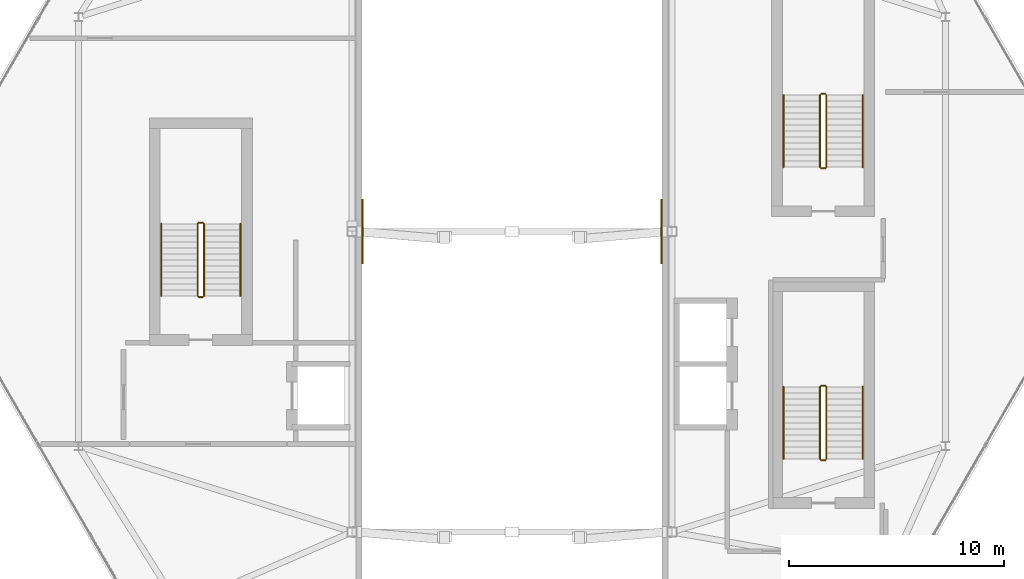
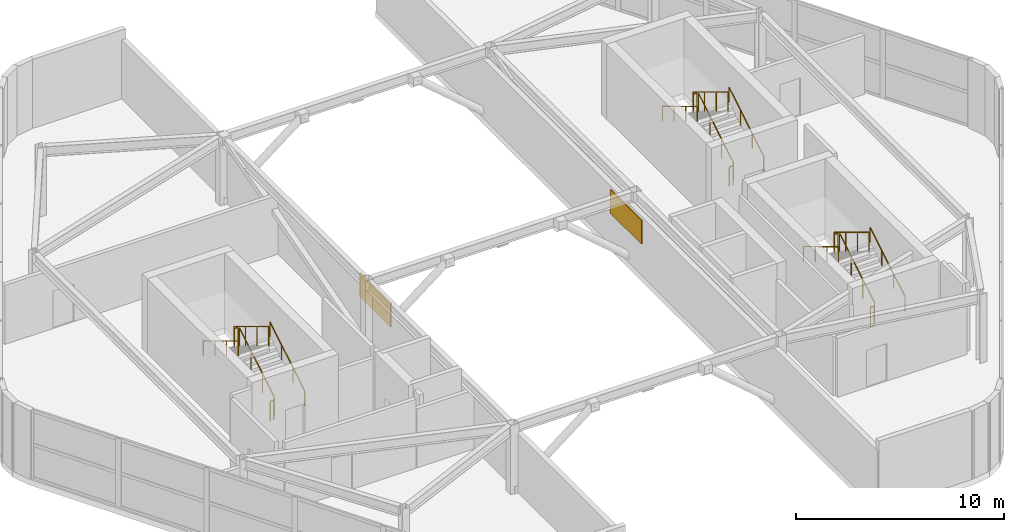
# One storey, part 16 of 16: 18 railings, 2 shading devices.
"""IFC4 building model written with IfcOpenShell, lengths in metres."""

from ifc_helpers import new_model, si_unit, direction, frame, origin, origin_2d, place, context, subcontext, project, spatial, rectangle, extrude, material, layer, layer_set, type_object, element, save


model = new_model("IFC4")

# Units and contexts
model_context = context("Model", 3, precision=1e-05, world=origin(), true_north=direction((0.0, 1.0)))
body_context = subcontext(model_context, "Body", "Model", "MODEL_VIEW")
ifc_project = project(units=[si_unit("LENGTHUNIT", "METRE"), si_unit("AREAUNIT", "SQUARE_METRE"), si_unit("VOLUMEUNIT", "CUBIC_METRE"), si_unit("PLANEANGLEUNIT", "RADIAN"), si_unit("MASSUNIT", "GRAM", prefix="KILO")], contexts=[model_context])

# Site, building, storey
site_placement = place(None, origin())
site = spatial("IfcSite", under=ifc_project, at=site_placement, CompositionType="ELEMENT")
building_placement = place(site_placement, origin())
building = spatial("IfcBuilding", under=site, at=building_placement, Name="Zuhravey Tower", CompositionType="ELEMENT")
storey_placement = place(building_placement, frame((0.0, 0.0, 370.199951171875)))
storey = spatial("IfcBuildingStorey", under=building, at=storey_placement, Name="L94", CompositionType="ELEMENT", Elevation=370.199951171875)

# Shading devices
ifc_material_1 = material(Name="Bronze-anodised perforated aluminium", Category="aluminium")
ifc_layer = layer(ifc_material_1, 0.06005859375)
ifc_layer_set = layer_set([ifc_layer], Name="Bronze-anodised perforated aluminium")
shading_device_type = type_object("IfcShadingDeviceType", Name="Girih Mashrabiya Solar Screen", PredefinedType="USERDEFINED", material=ifc_layer_set)
for number, where, z_axis, x_axis, name in (
    (1, (29.030029296875, 32.0, 1.900146484375), (0.0, 0.0, 1.0), (0.0, 1.0, 0.0), "L94 WEST Wind-Portal Girih Screen SCR1"),
    (2, (42.969970703125, 32.0, 1.900146484375), (0.0, 0.0, 1.0), (0.0, 1.0, 0.0), "L94 EAST Wind-Portal Girih Screen SCR1"),
):
    element("IfcShadingDevice", number, at=place(storey_placement, frame(where, z_axis=z_axis, x_axis=x_axis)), inside=storey, type_object=shading_device_type, Name=name, ObjectType="SCREEN", PredefinedType="USERDEFINED", context=body_context, shape_type="SweptSolid", body=[
        extrude(rectangle(XDim=3.0, YDim=0.06005859375, at=origin_2d()), origin(), (0.0, 0.0, 1.0), 1.39990234375),
    ])

# Railings
ifc_material_2 = material(Name="Brushed stainless steel", Category="steel")
railing_type_1 = type_object("IfcRailingType", Name="Stair Wall Handrail 900", PredefinedType="HANDRAIL", material=ifc_material_2)
railing_1_placement = place(storey_placement, frame((23.35009765625, 29.0, 0.169189453125)))
element("IfcRailing", 3, at=railing_1_placement, inside=storey, type_object=railing_type_1, Name="L94 CST1 stair handrail 1", PredefinedType="HANDRAIL", context=body_context, shape_type="SweptSolid", body=[
    extrude(rectangle(XDim=0.048095703125, YDim=0.048095703125, at=origin_2d()), frame((0.0, 0.001708984375, 0.876953125), z_axis=(0.0, 0.855836976705, 0.517245656632), x_axis=(-1.0, 0.0, 0.0)), (0.0, 0.0, 1.0), 3.922119140625),
    extrude(rectangle(XDim=0.0419921875, YDim=0.0419921875, at=origin_2d()), origin(), (0.0, 0.0, 1.0), 0.849853515625),
    extrude(rectangle(XDim=0.0419921875, YDim=0.0419921875, at=origin_2d()), frame((0.0, 1.1201171875, 0.677001953125)), (0.0, 0.0, 1.0), 0.849853515625),
    extrude(rectangle(XDim=0.0419921875, YDim=0.0419921875, at=origin_2d()), frame((0.0, 2.239990234375, 1.353759765625)), (0.0, 0.0, 1.0), 0.849853515625),
    extrude(rectangle(XDim=0.0419921875, YDim=0.0419921875, at=origin_2d()), frame((0.0, 3.360107421875, 2.03076171875)), (0.0, 0.0, 1.0), 0.849853515625),
])
railing_2_placement = place(storey_placement, frame((19.64990234375, 32.360107421875, 2.369384765625)))
element("IfcRailing", 4, at=railing_2_placement, inside=storey, type_object=railing_type_1, Name="L94 CST1 stair handrail 2", PredefinedType="HANDRAIL", context=body_context, shape_type="SweptSolid", body=[
    extrude(rectangle(XDim=0.048095703125, YDim=0.048095703125, at=origin_2d()), frame((0.0, -0.001708984375, 0.876953125), z_axis=(0.0, -0.855836976705, 0.517245656632), x_axis=(1.0, 0.0, 0.0)), (0.0, 0.0, 1.0), 3.922119140625),
    extrude(rectangle(XDim=0.0419921875, YDim=0.0419921875, at=origin_2d()), origin(), (0.0, 0.0, 1.0), 0.849853515625),
    extrude(rectangle(XDim=0.0419921875, YDim=0.0419921875, at=origin_2d()), frame((0.0, -1.1201171875, 0.677001953125)), (0.0, 0.0, 1.0), 0.849853515625),
    extrude(rectangle(XDim=0.0419921875, YDim=0.0419921875, at=origin_2d()), frame((0.0, -2.239990234375, 1.353759765625)), (0.0, 0.0, 1.0), 0.849853515625),
    extrude(rectangle(XDim=0.0419921875, YDim=0.0419921875, at=origin_2d()), frame((0.0, -3.360107421875, 2.03076171875)), (0.0, 0.0, 1.0), 0.849853515625),
])
railing_3_placement = place(storey_placement, frame((52.35009765625, 21.39990234375, 0.169189453125)))
element("IfcRailing", 5, at=railing_3_placement, inside=storey, type_object=railing_type_1, Name="L94 CST2 stair handrail 1", PredefinedType="HANDRAIL", context=body_context, shape_type="SweptSolid", body=[
    extrude(rectangle(XDim=0.048095703125, YDim=0.048095703125, at=origin_2d()), frame((0.0, 0.001708984375, 0.876953125), z_axis=(0.0, 0.855836976705, 0.517245656632), x_axis=(-1.0, 0.0, 0.0)), (0.0, 0.0, 1.0), 3.922119140625),
    extrude(rectangle(XDim=0.0419921875, YDim=0.0419921875, at=origin_2d()), origin(), (0.0, 0.0, 1.0), 0.849853515625),
    extrude(rectangle(XDim=0.0419921875, YDim=0.0419921875, at=origin_2d()), frame((0.0, 1.1201171875, 0.677001953125)), (0.0, 0.0, 1.0), 0.849853515625),
    extrude(rectangle(XDim=0.0419921875, YDim=0.0419921875, at=origin_2d()), frame((0.0, 2.239990234375, 1.353759765625)), (0.0, 0.0, 1.0), 0.849853515625),
    extrude(rectangle(XDim=0.0419921875, YDim=0.0419921875, at=origin_2d()), frame((0.0, 3.360107421875, 2.03076171875)), (0.0, 0.0, 1.0), 0.849853515625),
])
railing_4_placement = place(storey_placement, frame((48.64990234375, 24.760009765625, 2.369384765625)))
element("IfcRailing", 6, at=railing_4_placement, inside=storey, type_object=railing_type_1, Name="L94 CST2 stair handrail 2", PredefinedType="HANDRAIL", context=body_context, shape_type="SweptSolid", body=[
    extrude(rectangle(XDim=0.048095703125, YDim=0.048095703125, at=origin_2d()), frame((0.0, -0.001708984375, 0.876953125), z_axis=(0.0, -0.855836976705, 0.517245656632), x_axis=(1.0, 0.0, 0.0)), (0.0, 0.0, 1.0), 3.922119140625),
    extrude(rectangle(XDim=0.0419921875, YDim=0.0419921875, at=origin_2d()), origin(), (0.0, 0.0, 1.0), 0.849853515625),
    extrude(rectangle(XDim=0.0419921875, YDim=0.0419921875, at=origin_2d()), frame((0.0, -1.1201171875, 0.677001953125)), (0.0, 0.0, 1.0), 0.849853515625),
    extrude(rectangle(XDim=0.0419921875, YDim=0.0419921875, at=origin_2d()), frame((0.0, -2.239990234375, 1.353759765625)), (0.0, 0.0, 1.0), 0.849853515625),
    extrude(rectangle(XDim=0.0419921875, YDim=0.0419921875, at=origin_2d()), frame((0.0, -3.360107421875, 2.03076171875)), (0.0, 0.0, 1.0), 0.849853515625),
])
railing_5_placement = place(storey_placement, frame((52.35009765625, 35.0, 0.169189453125)))
element("IfcRailing", 7, at=railing_5_placement, inside=storey, type_object=railing_type_1, Name="L94 CST3 stair handrail 1", PredefinedType="HANDRAIL", context=body_context, shape_type="SweptSolid", body=[
    extrude(rectangle(XDim=0.048095703125, YDim=0.048095703125, at=origin_2d()), frame((0.0, 0.001708984375, 0.876953125), z_axis=(0.0, 0.855836976705, 0.517245656632), x_axis=(-1.0, 0.0, 0.0)), (0.0, 0.0, 1.0), 3.922119140625),
    extrude(rectangle(XDim=0.0419921875, YDim=0.0419921875, at=origin_2d()), origin(), (0.0, 0.0, 1.0), 0.849853515625),
    extrude(rectangle(XDim=0.0419921875, YDim=0.0419921875, at=origin_2d()), frame((0.0, 1.1201171875, 0.677001953125)), (0.0, 0.0, 1.0), 0.849853515625),
    extrude(rectangle(XDim=0.0419921875, YDim=0.0419921875, at=origin_2d()), frame((0.0, 2.239990234375, 1.353759765625)), (0.0, 0.0, 1.0), 0.849853515625),
    extrude(rectangle(XDim=0.0419921875, YDim=0.0419921875, at=origin_2d()), frame((0.0, 3.360107421875, 2.03076171875)), (0.0, 0.0, 1.0), 0.849853515625),
])
railing_6_placement = place(storey_placement, frame((48.64990234375, 38.360107421875, 2.369384765625)))
element("IfcRailing", 8, at=railing_6_placement, inside=storey, type_object=railing_type_1, Name="L94 CST3 stair handrail 2", PredefinedType="HANDRAIL", context=body_context, shape_type="SweptSolid", body=[
    extrude(rectangle(XDim=0.048095703125, YDim=0.048095703125, at=origin_2d()), frame((0.0, -0.001708984375, 0.876953125), z_axis=(0.0, -0.855836976705, 0.517245656632), x_axis=(1.0, 0.0, 0.0)), (0.0, 0.0, 1.0), 3.922119140625),
    extrude(rectangle(XDim=0.0419921875, YDim=0.0419921875, at=origin_2d()), origin(), (0.0, 0.0, 1.0), 0.849853515625),
    extrude(rectangle(XDim=0.0419921875, YDim=0.0419921875, at=origin_2d()), frame((0.0, -1.1201171875, 0.677001953125)), (0.0, 0.0, 1.0), 0.849853515625),
    extrude(rectangle(XDim=0.0419921875, YDim=0.0419921875, at=origin_2d()), frame((0.0, -2.239990234375, 1.353759765625)), (0.0, 0.0, 1.0), 0.849853515625),
    extrude(rectangle(XDim=0.0419921875, YDim=0.0419921875, at=origin_2d()), frame((0.0, -3.360107421875, 2.03076171875)), (0.0, 0.0, 1.0), 0.849853515625),
])
ifc_material_3 = material(Name="Painted tubular steel", Category="steel")
railing_type_2 = type_object("IfcRailingType", Name="Stair Well Guardrail 1150", PredefinedType="GUARDRAIL", material=ifc_material_3)
railing_7_placement = place(storey_placement, frame((21.64990234375, 29.0, 0.169189453125)))
element("IfcRailing", 9, at=railing_7_placement, inside=storey, type_object=railing_type_2, Name="L94 CST1 stair guard 1", PredefinedType="GUARDRAIL", context=body_context, shape_type="SweptSolid", body=[
    extrude(rectangle(XDim=0.048095703125, YDim=0.048095703125, at=origin_2d()), frame((0.0, 0.001708984375, 1.126953125), z_axis=(0.0, 0.855836976705, 0.517245656632), x_axis=(-1.0, 0.0, 0.0)), (0.0, 0.0, 1.0), 3.922119140625),
    extrude(rectangle(XDim=0.0419921875, YDim=0.0419921875, at=origin_2d()), origin(), (0.0, 0.0, 1.0), 1.099853515625),
    extrude(rectangle(XDim=0.0419921875, YDim=0.0419921875, at=origin_2d()), frame((0.0, 1.1201171875, 0.677001953125)), (0.0, 0.0, 1.0), 1.099853515625),
    extrude(rectangle(XDim=0.0419921875, YDim=0.0419921875, at=origin_2d()), frame((0.0, 2.239990234375, 1.353759765625)), (0.0, 0.0, 1.0), 1.099853515625),
    extrude(rectangle(XDim=0.0419921875, YDim=0.0419921875, at=origin_2d()), frame((0.0, 3.360107421875, 2.03076171875)), (0.0, 0.0, 1.0), 1.099853515625),
])
railing_8_placement = place(storey_placement, frame((21.60009765625, 32.409912109375, 2.199951171875)))
element("IfcRailing", 10, at=railing_8_placement, inside=storey, type_object=railing_type_2, Name="L94 CST1 stair guard 2", PredefinedType="GUARDRAIL", context=body_context, shape_type="SweptSolid", body=[
    extrude(rectangle(XDim=0.048095703125, YDim=0.048095703125, at=origin_2d()), frame((-0.001953125, 0.0, 1.1259765625), z_axis=(-1.0, 0.0, 0.0), x_axis=(0.0, -1.0, 0.0)), (0.0, 0.0, 1.0), 0.1962890625),
    extrude(rectangle(XDim=0.0419921875, YDim=0.0419921875, at=origin_2d()), origin(), (0.0, 0.0, 1.0), 1.099853515625),
    extrude(rectangle(XDim=0.0419921875, YDim=0.0419921875, at=origin_2d()), frame((-0.2001953125, 0.0, 0.0)), (0.0, 0.0, 1.0), 1.099853515625),
])
railing_9_placement = place(storey_placement, frame((21.35009765625, 32.360107421875, 2.369384765625)))
element("IfcRailing", 11, at=railing_9_placement, inside=storey, type_object=railing_type_2, Name="L94 CST1 stair guard 3", PredefinedType="GUARDRAIL", context=body_context, shape_type="SweptSolid", body=[
    extrude(rectangle(XDim=0.048095703125, YDim=0.048095703125, at=origin_2d()), frame((0.0, -0.001708984375, 1.126953125), z_axis=(0.0, -0.855836976705, 0.517245656632), x_axis=(1.0, 0.0, 0.0)), (0.0, 0.0, 1.0), 3.922119140625),
    extrude(rectangle(XDim=0.0419921875, YDim=0.0419921875, at=origin_2d()), origin(), (0.0, 0.0, 1.0), 1.099853515625),
    extrude(rectangle(XDim=0.0419921875, YDim=0.0419921875, at=origin_2d()), frame((0.0, -1.1201171875, 0.677001953125)), (0.0, 0.0, 1.0), 1.099853515625),
    extrude(rectangle(XDim=0.0419921875, YDim=0.0419921875, at=origin_2d()), frame((0.0, -2.239990234375, 1.353759765625)), (0.0, 0.0, 1.0), 1.099853515625),
    extrude(rectangle(XDim=0.0419921875, YDim=0.0419921875, at=origin_2d()), frame((0.0, -3.360107421875, 2.03076171875)), (0.0, 0.0, 1.0), 1.099853515625),
])
railing_10_placement = place(storey_placement, frame((21.60009765625, 28.949951171875, 0.0)))
element("IfcRailing", 12, at=railing_10_placement, inside=storey, type_object=railing_type_2, Name="L94 CST1 stair guard 4", PredefinedType="GUARDRAIL", context=body_context, shape_type="SweptSolid", body=[
    extrude(rectangle(XDim=0.048095703125, YDim=0.048095703125, at=origin_2d()), frame((-0.001953125, 0.0, 1.1259765625), z_axis=(-1.0, 0.0, 0.0), x_axis=(0.0, -1.0, 0.0)), (0.0, 0.0, 1.0), 0.1962890625),
    extrude(rectangle(XDim=0.0419921875, YDim=0.0419921875, at=origin_2d()), origin(), (0.0, 0.0, 1.0), 1.099853515625),
    extrude(rectangle(XDim=0.0419921875, YDim=0.0419921875, at=origin_2d()), frame((-0.2001953125, 0.0, 0.0)), (0.0, 0.0, 1.0), 1.099853515625),
])
railing_11_placement = place(storey_placement, frame((50.64990234375, 21.39990234375, 0.169189453125)))
element("IfcRailing", 13, at=railing_11_placement, inside=storey, type_object=railing_type_2, Name="L94 CST2 stair guard 1", PredefinedType="GUARDRAIL", context=body_context, shape_type="SweptSolid", body=[
    extrude(rectangle(XDim=0.048095703125, YDim=0.048095703125, at=origin_2d()), frame((0.0, 0.001708984375, 1.126953125), z_axis=(0.0, 0.855836976705, 0.517245656632), x_axis=(-1.0, 0.0, 0.0)), (0.0, 0.0, 1.0), 3.922119140625),
    extrude(rectangle(XDim=0.0419921875, YDim=0.0419921875, at=origin_2d()), origin(), (0.0, 0.0, 1.0), 1.099853515625),
    extrude(rectangle(XDim=0.0419921875, YDim=0.0419921875, at=origin_2d()), frame((0.0, 1.1201171875, 0.677001953125)), (0.0, 0.0, 1.0), 1.099853515625),
    extrude(rectangle(XDim=0.0419921875, YDim=0.0419921875, at=origin_2d()), frame((0.0, 2.239990234375, 1.353759765625)), (0.0, 0.0, 1.0), 1.099853515625),
    extrude(rectangle(XDim=0.0419921875, YDim=0.0419921875, at=origin_2d()), frame((0.0, 3.360107421875, 2.03076171875)), (0.0, 0.0, 1.0), 1.099853515625),
])
railing_12_placement = place(storey_placement, frame((50.60009765625, 24.81005859375, 2.199951171875)))
element("IfcRailing", 14, at=railing_12_placement, inside=storey, type_object=railing_type_2, Name="L94 CST2 stair guard 2", PredefinedType="GUARDRAIL", context=body_context, shape_type="SweptSolid", body=[
    extrude(rectangle(XDim=0.048095703125, YDim=0.048095703125, at=origin_2d()), frame((-0.001953125, 0.0, 1.1259765625), z_axis=(-1.0, 0.0, 0.0), x_axis=(0.0, -1.0, 0.0)), (0.0, 0.0, 1.0), 0.1962890625),
    extrude(rectangle(XDim=0.0419921875, YDim=0.0419921875, at=origin_2d()), origin(), (0.0, 0.0, 1.0), 1.099853515625),
    extrude(rectangle(XDim=0.0419921875, YDim=0.0419921875, at=origin_2d()), frame((-0.2001953125, 0.0, 0.0)), (0.0, 0.0, 1.0), 1.099853515625),
])
railing_13_placement = place(storey_placement, frame((50.35009765625, 24.760009765625, 2.369384765625)))
element("IfcRailing", 15, at=railing_13_placement, inside=storey, type_object=railing_type_2, Name="L94 CST2 stair guard 3", PredefinedType="GUARDRAIL", context=body_context, shape_type="SweptSolid", body=[
    extrude(rectangle(XDim=0.048095703125, YDim=0.048095703125, at=origin_2d()), frame((0.0, -0.001708984375, 1.126953125), z_axis=(0.0, -0.855836976705, 0.517245656632), x_axis=(1.0, 0.0, 0.0)), (0.0, 0.0, 1.0), 3.922119140625),
    extrude(rectangle(XDim=0.0419921875, YDim=0.0419921875, at=origin_2d()), origin(), (0.0, 0.0, 1.0), 1.099853515625),
    extrude(rectangle(XDim=0.0419921875, YDim=0.0419921875, at=origin_2d()), frame((0.0, -1.1201171875, 0.677001953125)), (0.0, 0.0, 1.0), 1.099853515625),
    extrude(rectangle(XDim=0.0419921875, YDim=0.0419921875, at=origin_2d()), frame((0.0, -2.239990234375, 1.353759765625)), (0.0, 0.0, 1.0), 1.099853515625),
    extrude(rectangle(XDim=0.0419921875, YDim=0.0419921875, at=origin_2d()), frame((0.0, -3.360107421875, 2.03076171875)), (0.0, 0.0, 1.0), 1.099853515625),
])
railing_14_placement = place(storey_placement, frame((50.60009765625, 21.35009765625, 0.0)))
element("IfcRailing", 16, at=railing_14_placement, inside=storey, type_object=railing_type_2, Name="L94 CST2 stair guard 4", PredefinedType="GUARDRAIL", context=body_context, shape_type="SweptSolid", body=[
    extrude(rectangle(XDim=0.048095703125, YDim=0.048095703125, at=origin_2d()), frame((-0.001953125, 0.0, 1.1259765625), z_axis=(-1.0, 0.0, 0.0), x_axis=(0.0, -1.0, 0.0)), (0.0, 0.0, 1.0), 0.1962890625),
    extrude(rectangle(XDim=0.0419921875, YDim=0.0419921875, at=origin_2d()), origin(), (0.0, 0.0, 1.0), 1.099853515625),
    extrude(rectangle(XDim=0.0419921875, YDim=0.0419921875, at=origin_2d()), frame((-0.2001953125, 0.0, 0.0)), (0.0, 0.0, 1.0), 1.099853515625),
])
railing_15_placement = place(storey_placement, frame((50.64990234375, 35.0, 0.169189453125)))
element("IfcRailing", 17, at=railing_15_placement, inside=storey, type_object=railing_type_2, Name="L94 CST3 stair guard 1", PredefinedType="GUARDRAIL", context=body_context, shape_type="SweptSolid", body=[
    extrude(rectangle(XDim=0.048095703125, YDim=0.048095703125, at=origin_2d()), frame((0.0, 0.001708984375, 1.126953125), z_axis=(0.0, 0.855836976705, 0.517245656632), x_axis=(-1.0, 0.0, 0.0)), (0.0, 0.0, 1.0), 3.922119140625),
    extrude(rectangle(XDim=0.0419921875, YDim=0.0419921875, at=origin_2d()), origin(), (0.0, 0.0, 1.0), 1.099853515625),
    extrude(rectangle(XDim=0.0419921875, YDim=0.0419921875, at=origin_2d()), frame((0.0, 1.1201171875, 0.677001953125)), (0.0, 0.0, 1.0), 1.099853515625),
    extrude(rectangle(XDim=0.0419921875, YDim=0.0419921875, at=origin_2d()), frame((0.0, 2.239990234375, 1.353759765625)), (0.0, 0.0, 1.0), 1.099853515625),
    extrude(rectangle(XDim=0.0419921875, YDim=0.0419921875, at=origin_2d()), frame((0.0, 3.360107421875, 2.03076171875)), (0.0, 0.0, 1.0), 1.099853515625),
])
railing_16_placement = place(storey_placement, frame((50.60009765625, 38.409912109375, 2.199951171875)))
element("IfcRailing", 18, at=railing_16_placement, inside=storey, type_object=railing_type_2, Name="L94 CST3 stair guard 2", PredefinedType="GUARDRAIL", context=body_context, shape_type="SweptSolid", body=[
    extrude(rectangle(XDim=0.048095703125, YDim=0.048095703125, at=origin_2d()), frame((-0.001953125, 0.0, 1.1259765625), z_axis=(-1.0, 0.0, 0.0), x_axis=(0.0, -1.0, 0.0)), (0.0, 0.0, 1.0), 0.1962890625),
    extrude(rectangle(XDim=0.0419921875, YDim=0.0419921875, at=origin_2d()), origin(), (0.0, 0.0, 1.0), 1.099853515625),
    extrude(rectangle(XDim=0.0419921875, YDim=0.0419921875, at=origin_2d()), frame((-0.2001953125, 0.0, 0.0)), (0.0, 0.0, 1.0), 1.099853515625),
])
railing_17_placement = place(storey_placement, frame((50.35009765625, 38.360107421875, 2.369384765625)))
element("IfcRailing", 19, at=railing_17_placement, inside=storey, type_object=railing_type_2, Name="L94 CST3 stair guard 3", PredefinedType="GUARDRAIL", context=body_context, shape_type="SweptSolid", body=[
    extrude(rectangle(XDim=0.048095703125, YDim=0.048095703125, at=origin_2d()), frame((0.0, -0.001708984375, 1.126953125), z_axis=(0.0, -0.855836976705, 0.517245656632), x_axis=(1.0, 0.0, 0.0)), (0.0, 0.0, 1.0), 3.922119140625),
    extrude(rectangle(XDim=0.0419921875, YDim=0.0419921875, at=origin_2d()), origin(), (0.0, 0.0, 1.0), 1.099853515625),
    extrude(rectangle(XDim=0.0419921875, YDim=0.0419921875, at=origin_2d()), frame((0.0, -1.1201171875, 0.677001953125)), (0.0, 0.0, 1.0), 1.099853515625),
    extrude(rectangle(XDim=0.0419921875, YDim=0.0419921875, at=origin_2d()), frame((0.0, -2.239990234375, 1.353759765625)), (0.0, 0.0, 1.0), 1.099853515625),
    extrude(rectangle(XDim=0.0419921875, YDim=0.0419921875, at=origin_2d()), frame((0.0, -3.360107421875, 2.03076171875)), (0.0, 0.0, 1.0), 1.099853515625),
])
railing_18_placement = place(storey_placement, frame((50.60009765625, 34.949951171875, 0.0)))
element("IfcRailing", 20, at=railing_18_placement, inside=storey, type_object=railing_type_2, Name="L94 CST3 stair guard 4", PredefinedType="GUARDRAIL", context=body_context, shape_type="SweptSolid", body=[
    extrude(rectangle(XDim=0.048095703125, YDim=0.048095703125, at=origin_2d()), frame((-0.001953125, 0.0, 1.1259765625), z_axis=(-1.0, 0.0, 0.0), x_axis=(0.0, -1.0, 0.0)), (0.0, 0.0, 1.0), 0.1962890625),
    extrude(rectangle(XDim=0.0419921875, YDim=0.0419921875, at=origin_2d()), origin(), (0.0, 0.0, 1.0), 1.099853515625),
    extrude(rectangle(XDim=0.0419921875, YDim=0.0419921875, at=origin_2d()), frame((-0.2001953125, 0.0, 0.0)), (0.0, 0.0, 1.0), 1.099853515625),
])

save(model, "model.ifc")
